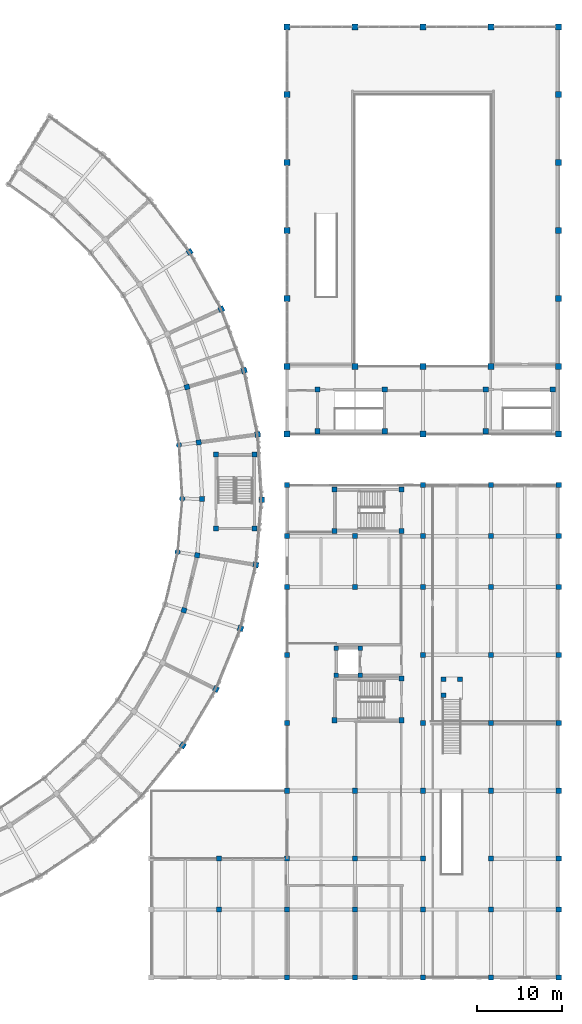
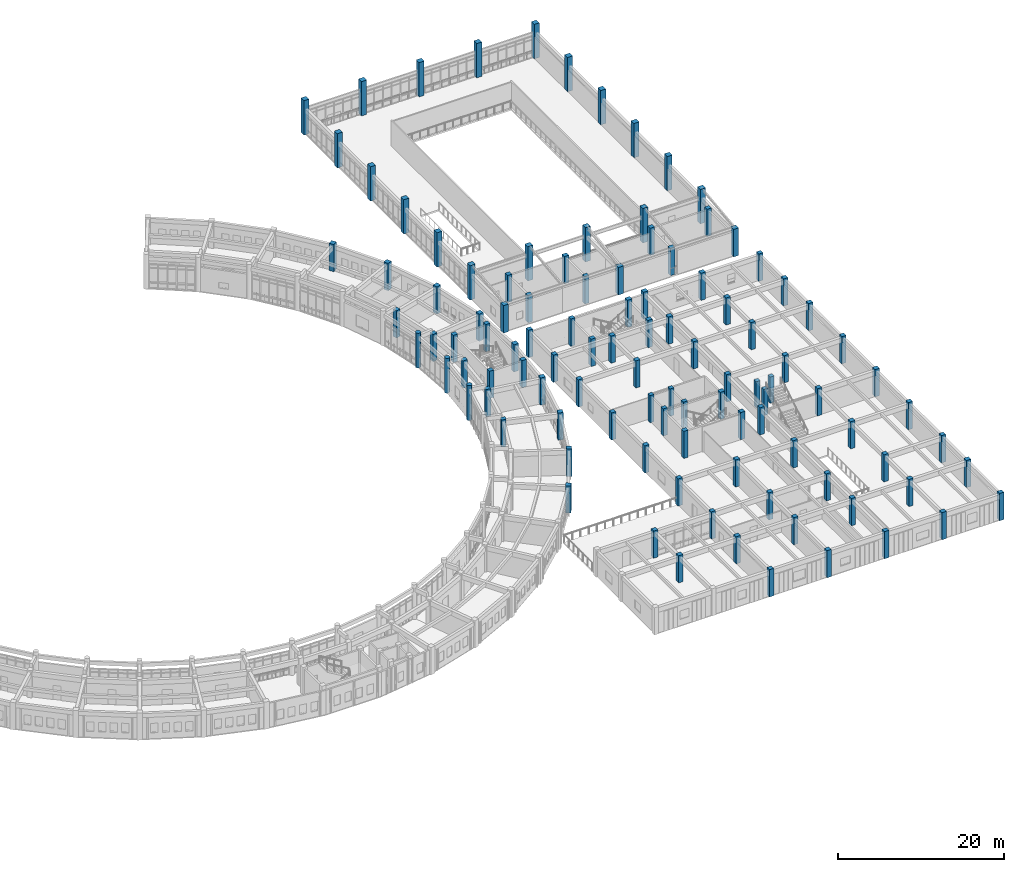
# One storey, part 7 of 159: 107 columns.
"""IFC4 building model written with IfcOpenShell, lengths in metres."""

from ifc_helpers import new_model, si_unit, direction, frame, origin, origin_2d, place, context, subcontext, project, spatial, rectangle, circle, extrude, material, material_profile, profile_set, type_object, element, save


model = new_model("IFC4")

# Units and contexts
model_context = context("Model", 3, precision=1e-05, world=origin(), true_north=direction((0.0, 1.0)))
body_context = subcontext(model_context, "Body", "Model", "MODEL_VIEW")
ifc_project = project(units=[si_unit("LENGTHUNIT", "METRE"), si_unit("AREAUNIT", "SQUARE_METRE"), si_unit("VOLUMEUNIT", "CUBIC_METRE"), si_unit("PLANEANGLEUNIT", "RADIAN"), si_unit("MASSUNIT", "GRAM", prefix="KILO")], contexts=[model_context])

# Site, building, storey
site_placement = place(None, origin())
site = spatial("IfcSite", under=ifc_project, at=site_placement, CompositionType="ELEMENT")
building_placement = place(site_placement, origin())
building = spatial("IfcBuilding", under=site, at=building_placement, Name="Celadon Cloister-Ring School", CompositionType="ELEMENT")
storey_placement = place(building_placement, frame((0.0, 0.0, 4.5)))
storey = spatial("IfcBuildingStorey", under=building, at=storey_placement, Name="L01", CompositionType="ELEMENT", Elevation=4.5)

# Columns
ifc_material_1 = material(Name="Concrete C40/50", Category="concrete")
ifc_material_profile_1 = material_profile(ifc_material_1, rectangle(XDim=0.699951171875, YDim=0.699951171875, at=origin_2d()), Name="RC700X700")
ifc_profile_set_1 = profile_set([ifc_material_profile_1], Name="Concrete C40/50")
column_type_1 = type_object("IfcColumnType", Name="CT-02", PredefinedType="COLUMN", material=ifc_profile_set_1)
for number, where, z_axis, x_axis, name in (
    (1, (150.0, 74.0, 0.0), (0.0, 0.0, 1.0), (1.0, 0.0, 0.0), "Column 0694"),
    (2, (158.0, 74.0, 0.0), (0.0, 0.0, 1.0), (1.0, 0.0, 0.0), "Column 0704"),
    (3, (166.0, 74.0, 0.0), (0.0, 0.0, 1.0), (1.0, 0.0, 0.0), "Column 0709"),
):
    element("IfcColumn", number, at=place(storey_placement, frame(where, z_axis=z_axis, x_axis=x_axis)), inside=storey, type_object=column_type_1, Name=name, PredefinedType="COLUMN", context=body_context, shape_type="SweptSolid", body=[
        extrude(rectangle(XDim=0.699951171875, YDim=0.699951171875, at=origin_2d()), origin(), (0.0, 0.0, 1.0), 5.050048828125),
    ])
ifc_material_2 = material(Name="Concrete C40/50", Category="concrete")
ifc_material_profile_2 = material_profile(ifc_material_2, rectangle(XDim=0.60009765625, YDim=0.60009765625, at=origin_2d()), Name="RC600X600")
ifc_profile_set_2 = profile_set([ifc_material_profile_2], Name="Concrete C40/50")
column_type_2 = type_object("IfcColumnType", Name="CT-04", PredefinedType="COLUMN", material=ifc_profile_set_2)
for number, where, z_axis, x_axis, name in (
    (4, (133.6298828125, 54.89990234375, 0.0), (0.0, 0.0, 1.0), (1.0, 0.0, 0.0), "Column 0002"),
    (5, (138.14990234375, 54.89990234375, 0.0), (0.0, 0.0, 1.0), (1.0, 0.0, 0.0), "Column 0006"),
    (6, (138.14990234375, 63.6201171875, 0.0), (0.0, 0.0, 1.0), (1.0, 0.0, 0.0), "Column 0010"),
    (7, (133.6298828125, 63.6201171875, 0.0), (0.0, 0.0, 1.0), (1.0, 0.0, 0.0), "Column 0014"),
    (8, (145.60009765625, 66.35009765625, 0.0), (0.0, 0.0, 1.0), (1.0, 0.0, 0.0), "Column 0050"),
    (9, (153.5, 66.35009765625, 0.0), (0.0, 0.0, 1.0), (1.0, 0.0, 0.0), "Column 0052"),
    (10, (153.5, 71.25, 0.0), (0.0, 0.0, 1.0), (1.0, 0.0, 0.0), "Column 0054"),
    (11, (145.60009765625, 71.25, 0.0), (0.0, 0.0, 1.0), (1.0, 0.0, 0.0), "Column 0056"),
    (12, (165.39990234375, 66.35009765625, 0.0), (0.0, 0.0, 1.0), (1.0, 0.0, 0.0), "Column 0058"),
    (13, (173.300048828125, 71.25, 0.0), (0.0, 0.0, 1.0), (1.0, 0.0, 0.0), "Column 0060"),
    (14, (165.39990234375, 71.25, 0.0), (0.0, 0.0, 1.0), (1.0, 0.0, 0.0), "Column 0062"),
    (15, (147.60009765625, 32.300048828125, 0.0), (0.0, 0.0, 1.0), (1.0, 0.0, 0.0), "Column 0096"),
    (16, (155.5, 32.300048828125, 0.0), (0.0, 0.0, 1.0), (1.0, 0.0, 0.0), "Column 0100"),
    (17, (155.5, 37.199951171875, 0.0), (0.0, 0.0, 1.0), (1.0, 0.0, 0.0), "Column 0104"),
    (18, (147.60009765625, 54.60009765625, 0.0), (0.0, 0.0, 1.0), (1.0, 0.0, 0.0), "Column 0108"),
    (19, (155.5, 54.60009765625, 0.0), (0.0, 0.0, 1.0), (1.0, 0.0, 0.0), "Column 0112"),
    (20, (155.5, 59.5, 0.0), (0.0, 0.0, 1.0), (1.0, 0.0, 0.0), "Column 0116"),
    (21, (147.60009765625, 59.5, 0.0), (0.0, 0.0, 1.0), (1.0, 0.0, 0.0), "Column 0120"),
    (22, (129.85009765625, 45.256103515625, 0.0), (0.0, 0.0, 1.0), (0.95221472185, -0.305429408362, 0.0), "Column 0501"),
    (23, (131.409912109375, 51.737060546875, 0.0), (0.0, 0.0, 1.0), (0.986889540988, -0.161397130983, 0.0), "Column 0505"),
    (24, (131.99609375, 58.3779296875, 0.0), (0.0, 0.0, 1.0), (0.999904463751, -0.013822567474, 0.0), "Column 0509"),
    (25, (131.593994140625, 65.031982421875, 0.0), (0.0, 0.0, 1.0), (0.9909738433, 0.13405536877, 0.0), "Column 0513"),
    (26, (130.212890625, 71.554931640625, 0.0), (0.0, 0.0, 1.0), (0.960293685677, 0.278991106039, 0.0), "Column 0517"),
    (27, (134.0, 10.0, 0.0), (0.0, 0.0, 1.0), (1.0, 0.0, 0.0), "Column 0914"),
    (28, (134.0, 16.0, 0.0), (0.0, 0.0, 1.0), (1.0, 0.0, 0.0), "Column 0916"),
    (29, (142.0, 10.0, 0.0), (0.0, 0.0, 1.0), (1.0, 0.0, 0.0), "Column 0921"),
    (30, (142.0, 16.0, 0.0), (0.0, 0.0, 1.0), (1.0, 0.0, 0.0), "Column 0923"),
    (31, (142.0, 2.0, 0.0), (0.0, 0.0, 1.0), (1.0, 0.0, 0.0), "Column 0926"),
    (32, (142.0, 24.0, 0.0), (0.0, 0.0, 1.0), (1.0, 0.0, 0.0), "Column 0928"),
    (33, (142.0, 32.0, 0.0), (0.0, 0.0, 1.0), (1.0, 0.0, 0.0), "Column 0931"),
    (34, (142.0, 40.0, 0.0), (0.0, 0.0, 1.0), (1.0, 0.0, 0.0), "Column 0935"),
    (35, (142.0, 48.0, 0.0), (0.0, 0.0, 1.0), (1.0, 0.0, 0.0), "Column 0939"),
    (36, (142.0, 54.0, 0.0), (0.0, 0.0, 1.0), (1.0, 0.0, 0.0), "Column 0943"),
    (37, (142.0, 60.0, 0.0), (0.0, 0.0, 1.0), (1.0, 0.0, 0.0), "Column 0947"),
    (38, (150.0, 10.0, 0.0), (0.0, 0.0, 1.0), (1.0, 0.0, 0.0), "Column 0951"),
    (39, (150.0, 16.0, 0.0), (0.0, 0.0, 1.0), (1.0, 0.0, 0.0), "Column 0953"),
    (40, (150.0, 2.0, 0.0), (0.0, 0.0, 1.0), (1.0, 0.0, 0.0), "Column 0956"),
    (41, (150.0, 24.0, 0.0), (0.0, 0.0, 1.0), (1.0, 0.0, 0.0), "Column 0958"),
    (42, (150.0, 48.0, 0.0), (0.0, 0.0, 1.0), (1.0, 0.0, 0.0), "Column 0961"),
    (43, (150.0, 54.0, 0.0), (0.0, 0.0, 1.0), (1.0, 0.0, 0.0), "Column 0965"),
    (44, (158.0, 10.0, 0.0), (0.0, 0.0, 1.0), (1.0, 0.0, 0.0), "Column 0969"),
    (45, (158.0, 16.0, 0.0), (0.0, 0.0, 1.0), (1.0, 0.0, 0.0), "Column 0971"),
    (46, (158.0, 2.0, 0.0), (0.0, 0.0, 1.0), (1.0, 0.0, 0.0), "Column 0974"),
    (47, (158.0, 24.0, 0.0), (0.0, 0.0, 1.0), (1.0, 0.0, 0.0), "Column 0976"),
    (48, (158.0, 32.0, 0.0), (0.0, 0.0, 1.0), (1.0, 0.0, 0.0), "Column 0979"),
    (49, (158.0, 40.0, 0.0), (0.0, 0.0, 1.0), (1.0, 0.0, 0.0), "Column 0983"),
    (50, (158.0, 48.0, 0.0), (0.0, 0.0, 1.0), (1.0, 0.0, 0.0), "Column 0987"),
    (51, (158.0, 54.0, 0.0), (0.0, 0.0, 1.0), (1.0, 0.0, 0.0), "Column 0991"),
    (52, (158.0, 60.0, 0.0), (0.0, 0.0, 1.0), (1.0, 0.0, 0.0), "Column 0995"),
    (53, (166.0, 10.0, 0.0), (0.0, 0.0, 1.0), (1.0, 0.0, 0.0), "Column 0999"),
    (54, (166.0, 16.0, 0.0), (0.0, 0.0, 1.0), (1.0, 0.0, 0.0), "Column 1001"),
    (55, (166.0, 2.0, 0.0), (0.0, 0.0, 1.0), (1.0, 0.0, 0.0), "Column 1004"),
    (56, (166.0, 24.0, 0.0), (0.0, 0.0, 1.0), (1.0, 0.0, 0.0), "Column 1006"),
    (57, (166.0, 32.0, 0.0), (0.0, 0.0, 1.0), (1.0, 0.0, 0.0), "Column 1009"),
    (58, (166.0, 40.0, 0.0), (0.0, 0.0, 1.0), (1.0, 0.0, 0.0), "Column 1013"),
    (59, (166.0, 48.0, 0.0), (0.0, 0.0, 1.0), (1.0, 0.0, 0.0), "Column 1017"),
    (60, (166.0, 54.0, 0.0), (0.0, 0.0, 1.0), (1.0, 0.0, 0.0), "Column 1021"),
    (61, (166.0, 60.0, 0.0), (0.0, 0.0, 1.0), (1.0, 0.0, 0.0), "Column 1025"),
    (62, (174.0, 10.0, 0.0), (0.0, 0.0, 1.0), (1.0, 0.0, 0.0), "Column 1029"),
    (63, (174.0, 16.0, 0.0), (0.0, 0.0, 1.0), (1.0, 0.0, 0.0), "Column 1031"),
    (64, (174.0, 2.0, 0.0), (0.0, 0.0, 1.0), (1.0, 0.0, 0.0), "Column 1034"),
    (65, (174.0, 24.0, 0.0), (0.0, 0.0, 1.0), (1.0, 0.0, 0.0), "Column 1036"),
    (66, (174.0, 32.0, 0.0), (0.0, 0.0, 1.0), (1.0, 0.0, 0.0), "Column 1039"),
    (67, (174.0, 40.0, 0.0), (0.0, 0.0, 1.0), (1.0, 0.0, 0.0), "Column 1043"),
    (68, (174.0, 48.0, 0.0), (0.0, 0.0, 1.0), (1.0, 0.0, 0.0), "Column 1047"),
    (69, (174.0, 54.0, 0.0), (0.0, 0.0, 1.0), (1.0, 0.0, 0.0), "Column 1051"),
    (70, (174.0, 60.0, 0.0), (0.0, 0.0, 1.0), (1.0, 0.0, 0.0), "Column 1055"),
):
    element("IfcColumn", number, at=place(storey_placement, frame(where, z_axis=z_axis, x_axis=x_axis)), inside=storey, type_object=column_type_2, Name=name, PredefinedType="COLUMN", context=body_context, shape_type="SweptSolid", body=[
        extrude(rectangle(XDim=0.60009765625, YDim=0.60009765625, at=origin_2d()), origin(), (0.0, 0.0, 1.0), 4.0),
    ])
ifc_material_3 = material(Name="Concrete C40/50", Category="concrete")
ifc_material_profile_3 = material_profile(ifc_material_3, rectangle(XDim=0.550048828125, YDim=0.550048828125, at=origin_2d()), Name="RC550X550")
ifc_profile_set_3 = profile_set([ifc_material_profile_3], Name="Concrete C40/50")
column_type_3 = type_object("IfcColumnType", Name="CT-05", PredefinedType="COLUMN", material=ifc_profile_set_3)
for number, where, z_axis, x_axis, name in (
    (71, (160.419921875, 37.1298828125, 0.0), (0.0, 0.0, 1.0), (1.0, 0.0, 0.0), "Column 0207"),
    (72, (162.3798828125, 37.1298828125, 0.0), (0.0, 0.0, 1.0), (1.0, 0.0, 0.0), "Column 0209"),
    (73, (160.419921875, 35.25, 0.0), (0.0, 0.0, 1.0), (1.0, 0.0, 0.0), "Column 0211"),
):
    element("IfcColumn", number, at=place(storey_placement, frame(where, z_axis=z_axis, x_axis=x_axis)), inside=storey, type_object=column_type_3, Name=name, PredefinedType="COLUMN", context=body_context, shape_type="SweptSolid", body=[
        extrude(rectangle(XDim=0.550048828125, YDim=0.550048828125, at=origin_2d()), origin(), (0.0, 0.0, 1.0), 3.85009765625),
    ])
for number, where, z_axis, x_axis, name in (
    (74, (147.800048828125, 37.60009765625, 0.0), (0.0, 0.0, 1.0), (1.0, 0.0, 0.0), "Column 0309"),
    (75, (150.60009765625, 37.60009765625, 0.0), (0.0, 0.0, 1.0), (1.0, 0.0, 0.0), "Column 0313"),
    (76, (150.60009765625, 40.800048828125, 0.0), (0.0, 0.0, 1.0), (1.0, 0.0, 0.0), "Column 0317"),
    (77, (147.800048828125, 40.800048828125, 0.0), (0.0, 0.0, 1.0), (1.0, 0.0, 0.0), "Column 0321"),
):
    element("IfcColumn", number, at=place(storey_placement, frame(where, z_axis=z_axis, x_axis=x_axis)), inside=storey, type_object=column_type_3, Name=name, PredefinedType="COLUMN", context=body_context, shape_type="SweptSolid", body=[
        extrude(rectangle(XDim=0.550048828125, YDim=0.550048828125, at=origin_2d()), origin(), (0.0, 0.0, 1.0), 4.0),
    ])
ifc_material_4 = material(Name="Concrete C40/50", Category="concrete")
ifc_material_profile_4 = material_profile(ifc_material_4, rectangle(XDim=0.699951171875, YDim=0.699951171875, at=origin_2d()), Name="RC700X700")
ifc_profile_set_4 = profile_set([ifc_material_profile_4], Name="Concrete C40/50")
column_type_4 = type_object("IfcColumnType", Name="CT-21", PredefinedType="COLUMN", material=ifc_profile_set_4)
for number, where, z_axis, x_axis, name in (
    (78, (142.0, 106.0, 0.0), (0.0, 0.0, 1.0), (1.0, 0.0, 0.0), "Column 0677"),
    (79, (142.0, 114.0, 0.0), (0.0, 0.0, 1.0), (1.0, 0.0, 0.0), "Column 0679"),
):
    element("IfcColumn", number, at=place(storey_placement, frame(where, z_axis=z_axis, x_axis=x_axis)), inside=storey, type_object=column_type_4, Name=name, PredefinedType="COLUMN", context=body_context, shape_type="SweptSolid", body=[
        extrude(rectangle(XDim=0.699951171875, YDim=0.699951171875, at=origin_2d()), origin(), (0.0, 0.0, 1.0), 5.050048828125),
    ])
column_1_placement = place(storey_placement, frame((142.0, 66.0, 0.0), z_axis=(0.0, 0.0, 1.0), x_axis=(1.0, 0.0, 0.0)))
element("IfcColumn", 80, at=column_1_placement, inside=storey, type_object=column_type_4, Name="Column 0681", PredefinedType="COLUMN", context=body_context, shape_type="SweptSolid", body=[
    extrude(rectangle(XDim=0.699951171875, YDim=0.699951171875, at=origin_2d()), origin(), (0.0, 0.0, 1.0), 4.050048828125),
])
for number, where, z_axis, x_axis, name in (
    (81, (142.0, 74.0, 0.0), (0.0, 0.0, 1.0), (1.0, 0.0, 0.0), "Column 0683"),
    (82, (142.0, 82.0, 0.0), (0.0, 0.0, 1.0), (1.0, 0.0, 0.0), "Column 0685"),
    (83, (142.0, 90.0, 0.0), (0.0, 0.0, 1.0), (1.0, 0.0, 0.0), "Column 0687"),
    (84, (142.0, 98.0, 0.0), (0.0, 0.0, 1.0), (1.0, 0.0, 0.0), "Column 0689"),
    (85, (150.0, 114.0, 0.0), (0.0, 0.0, 1.0), (1.0, 0.0, 0.0), "Column 0692"),
    (86, (158.0, 114.0, 0.0), (0.0, 0.0, 1.0), (1.0, 0.0, 0.0), "Column 0700"),
):
    element("IfcColumn", number, at=place(storey_placement, frame(where, z_axis=z_axis, x_axis=x_axis)), inside=storey, type_object=column_type_4, Name=name, PredefinedType="COLUMN", context=body_context, shape_type="SweptSolid", body=[
        extrude(rectangle(XDim=0.699951171875, YDim=0.699951171875, at=origin_2d()), origin(), (0.0, 0.0, 1.0), 5.050048828125),
    ])
column_2_placement = place(storey_placement, frame((158.0, 66.0, 0.0), z_axis=(0.0, 0.0, 1.0), x_axis=(1.0, 0.0, 0.0)))
element("IfcColumn", 87, at=column_2_placement, inside=storey, type_object=column_type_4, Name="Column 0702", PredefinedType="COLUMN", context=body_context, shape_type="SweptSolid", body=[
    extrude(rectangle(XDim=0.699951171875, YDim=0.699951171875, at=origin_2d()), origin(), (0.0, 0.0, 1.0), 4.050048828125),
])
for number, where, z_axis, x_axis, name in (
    (88, (166.0, 114.0, 0.0), (0.0, 0.0, 1.0), (1.0, 0.0, 0.0), "Column 0707"),
    (89, (174.0, 106.0, 0.0), (0.0, 0.0, 1.0), (1.0, 0.0, 0.0), "Column 0714"),
    (90, (174.0, 114.0, 0.0), (0.0, 0.0, 1.0), (1.0, 0.0, 0.0), "Column 0716"),
):
    element("IfcColumn", number, at=place(storey_placement, frame(where, z_axis=z_axis, x_axis=x_axis)), inside=storey, type_object=column_type_4, Name=name, PredefinedType="COLUMN", context=body_context, shape_type="SweptSolid", body=[
        extrude(rectangle(XDim=0.699951171875, YDim=0.699951171875, at=origin_2d()), origin(), (0.0, 0.0, 1.0), 5.050048828125),
    ])
column_3_placement = place(storey_placement, frame((174.0, 66.0, 0.0), z_axis=(0.0, 0.0, 1.0), x_axis=(1.0, 0.0, 0.0)))
element("IfcColumn", 91, at=column_3_placement, inside=storey, type_object=column_type_4, Name="Column 0718", PredefinedType="COLUMN", context=body_context, shape_type="SweptSolid", body=[
    extrude(rectangle(XDim=0.699951171875, YDim=0.699951171875, at=origin_2d()), origin(), (0.0, 0.0, 1.0), 4.050048828125),
])
for number, where, z_axis, x_axis, name in (
    (92, (174.0, 74.0, 0.0), (0.0, 0.0, 1.0), (1.0, 0.0, 0.0), "Column 0720"),
    (93, (174.0, 82.0, 0.0), (0.0, 0.0, 1.0), (1.0, 0.0, 0.0), "Column 0722"),
    (94, (174.0, 90.0, 0.0), (0.0, 0.0, 1.0), (1.0, 0.0, 0.0), "Column 0724"),
    (95, (174.0, 98.0, 0.0), (0.0, 0.0, 1.0), (1.0, 0.0, 0.0), "Column 0726"),
):
    element("IfcColumn", number, at=place(storey_placement, frame(where, z_axis=z_axis, x_axis=x_axis)), inside=storey, type_object=column_type_4, Name=name, PredefinedType="COLUMN", context=body_context, shape_type="SweptSolid", body=[
        extrude(rectangle(XDim=0.699951171875, YDim=0.699951171875, at=origin_2d()), origin(), (0.0, 0.0, 1.0), 5.050048828125),
    ])
ifc_material_5 = material(Name="Concrete C40/50", Category="concrete")
ifc_material_profile_5 = material_profile(ifc_material_5, rectangle(XDim=0.64990234375, YDim=0.64990234375, at=origin_2d()), Name="RC650X650")
ifc_profile_set_5 = profile_set([ifc_material_profile_5], Name="Concrete C40/50")
column_type_5 = type_object("IfcColumnType", Name="CT-22", PredefinedType="COLUMN", material=ifc_profile_set_5)
for number, where, z_axis, x_axis, name in (
    (96, (129.7119140625, 29.341064453125, 0.0), (0.0, 0.0, 1.0), (0.821388197028, -0.57036955545, 0.0), "Column 0629"),
    (97, (133.625, 35.97705078125, 0.0), (0.0, 0.0, 1.0), (0.896641036785, -0.442758231039, 0.0), "Column 0633"),
    (98, (136.514892578125, 43.117919921875, 0.0), (0.0, 0.0, 1.0), (0.95221472185, -0.305429408362, 0.0), "Column 0637"),
    (99, (138.318115234375, 50.60693359375, 0.0), (0.0, 0.0, 1.0), (0.986889540988, -0.161397130983, 0.0), "Column 0641"),
    (100, (138.9951171875, 58.281005859375, 0.0), (0.0, 0.0, 1.0), (0.999904463751, -0.013822567474, 0.0), "Column 0645"),
    (101, (138.531005859375, 65.970947265625, 0.0), (0.0, 0.0, 1.0), (0.9909738433, 0.13405536877, 0.0), "Column 0649"),
    (102, (136.93505859375, 73.508056640625, 0.0), (0.0, 0.0, 1.0), (0.960293685677, 0.278991106039, 0.0), "Column 0653"),
    (103, (134.243896484375, 80.72607421875, 0.0), (0.0, 0.0, 1.0), (0.908537347938, 0.417803646947, 0.0), "Column 0657"),
    (104, (130.51611328125, 87.467041015625, 0.0), (0.0, 0.0, 1.0), (0.836840759551, 0.547446383817, 0.0), "Column 0661"),
):
    element("IfcColumn", number, at=place(storey_placement, frame(where, z_axis=z_axis, x_axis=x_axis)), inside=storey, type_object=column_type_5, Name=name, PredefinedType="COLUMN", context=body_context, shape_type="SweptSolid", body=[
        extrude(rectangle(XDim=0.64990234375, YDim=0.64990234375, at=origin_2d()), origin(), (0.0, 0.0, 1.0), 4.0),
    ])
ifc_material_6 = material(Name="Concrete C40/50", Category="concrete")
ifc_material_profile_6 = material_profile(ifc_material_6, circle(Radius=0.324951171875, at=origin_2d()), Name="CIRC650")
ifc_profile_set_6 = profile_set([ifc_material_profile_6], Name="Concrete C40/50")
column_type_6 = type_object("IfcColumnType", Name="CT-25", PredefinedType="COLUMN", material=ifc_profile_set_6)
for number, where, z_axis, x_axis, name in (
    (105, (129.091064453125, 52.115966796875, 0.0), (0.0, 0.0, 1.0), (1.0, 0.0, 0.0), "Column 0379"),
    (106, (129.64599609375, 58.409912109375, 0.0), (0.0, 0.0, 1.0), (1.0, 0.0, 0.0), "Column 0381"),
    (107, (129.264892578125, 64.717041015625, 0.0), (0.0, 0.0, 1.0), (1.0, 0.0, 0.0), "Column 0383"),
):
    element("IfcColumn", number, at=place(storey_placement, frame(where, z_axis=z_axis, x_axis=x_axis)), inside=storey, type_object=column_type_6, Name=name, PredefinedType="COLUMN", context=body_context, shape_type="SweptSolid", body=[
        extrude(circle(Radius=0.324951171875, at=origin_2d()), origin(), (0.0, 0.0, 1.0), 5.1201171875),
    ])

save(model, "model.ifc")
